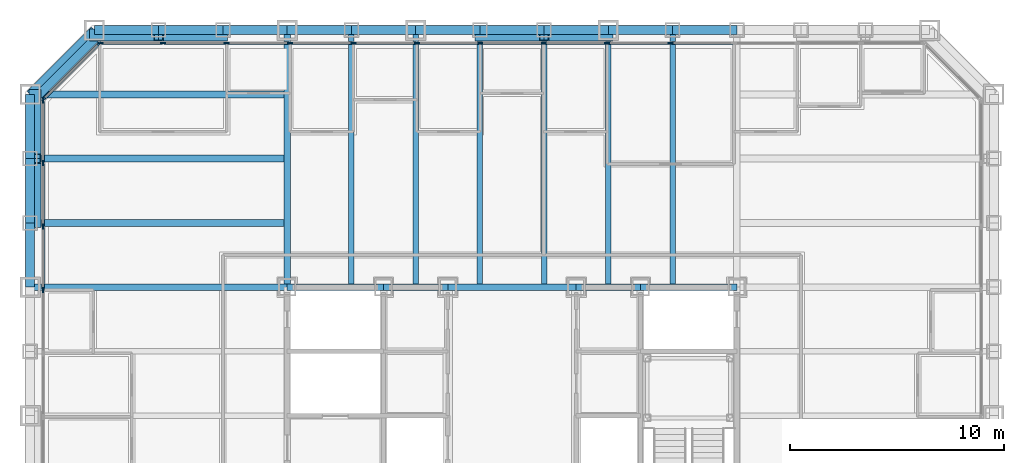
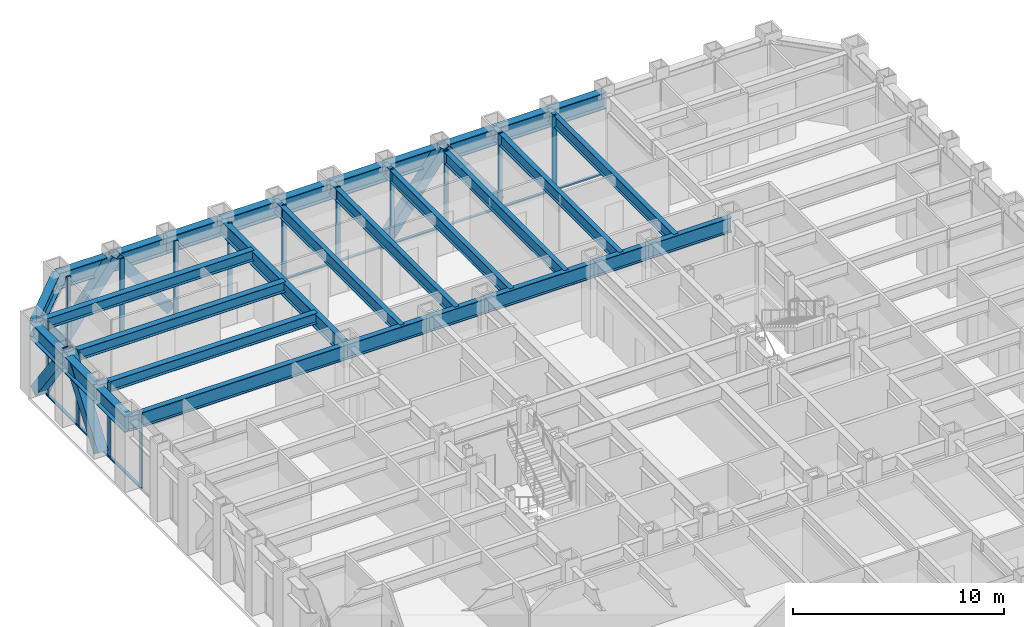
# One storey, part 5 of 16: 37 members, 30 beams, 3 elements without a shape of their own.
"""IFC4 building model written with IfcOpenShell, lengths in metres."""

from ifc_helpers import new_model, si_unit, direction, frame, origin, origin_2d, place, context, subcontext, project, spatial, rectangle, hollow_rectangle, i_section, extrude, material, layer, layer_set, material_profile, profile_set, type_object, element, aggregate, save


model = new_model("IFC4")

# Units and contexts
model_context = context("Model", 3, precision=1e-05, world=origin(), true_north=direction((0.0, 1.0)))
body_context = subcontext(model_context, "Body", "Model", "MODEL_VIEW")
ifc_project = project(units=[si_unit("LENGTHUNIT", "METRE"), si_unit("AREAUNIT", "SQUARE_METRE"), si_unit("VOLUMEUNIT", "CUBIC_METRE"), si_unit("PLANEANGLEUNIT", "RADIAN"), si_unit("MASSUNIT", "GRAM", prefix="KILO")], contexts=[model_context])

# Site, building, storey
site_placement = place(None, origin())
site = spatial("IfcSite", under=ifc_project, at=site_placement, CompositionType="ELEMENT")
building_placement = place(site_placement, origin())
building = spatial("IfcBuilding", under=site, at=building_placement, Name="Chuquiago Exchange Tower", CompositionType="ELEMENT")
storey_placement = place(building_placement, frame((0.0, 0.0, 60.300048828125)))
storey = spatial("IfcBuildingStorey", under=building, at=storey_placement, Name="L12", CompositionType="ELEMENT", Elevation=60.300048828125)

# Beams
ifc_material_1 = material(Name="Steel ASTM A992", Category="steel")
ifc_material_profile_1 = material_profile(ifc_material_1, i_section(OverallWidth=0.2919921875, OverallDepth=0.8583984375, WebThickness=0.01708984375, FlangeThickness=0.031005859375, at=origin_2d()), Name="W33X169")
ifc_profile_set_1 = profile_set([ifc_material_profile_1], Name="Steel ASTM A992")
beam_type_1 = type_object("IfcBeamType", Name="B3 W33X169", PredefinedType="BEAM", material=ifc_profile_set_1)
beam_1_placement = place(storey_placement, frame((12.0, 33.0, 3.610595703125), z_axis=(1.0, 0.0, 0.0), x_axis=(0.0, 1.0, 0.0)))
element("IfcBeam", 1, at=beam_1_placement, inside=storey, type_object=beam_type_1, Name="CB-L13-12_33-16.5_33", PredefinedType="BEAM", context=body_context, shape_type="SweptSolid", body=[
    extrude(i_section(OverallWidth=0.2919921875, OverallDepth=0.8583984375, WebThickness=0.01708984375, FlangeThickness=0.031005859375, at=origin_2d()), origin(), (0.0, 0.0, 1.0), 4.5),
])
beam_2_placement = place(storey_placement, frame((16.5, 33.0, 3.610595703125), z_axis=(1.0, 0.0, 0.0), x_axis=(0.0, 1.0, 0.0)))
element("IfcBeam", 2, at=beam_2_placement, inside=storey, type_object=beam_type_1, Name="CB-L13-16.5_33-19.5_33", PredefinedType="BEAM", context=body_context, shape_type="SweptSolid", body=[
    extrude(i_section(OverallWidth=0.2919921875, OverallDepth=0.8583984375, WebThickness=0.01708984375, FlangeThickness=0.031005859375, at=origin_2d()), origin(), (0.0, 0.0, 1.0), 3.0),
])
beam_3_placement = place(storey_placement, frame((19.5, 33.0, 3.610595703125), z_axis=(1.0, 0.0, 0.0), x_axis=(0.0, 1.0, 0.0)))
element("IfcBeam", 3, at=beam_3_placement, inside=storey, type_object=beam_type_1, Name="CB-L13-19.5_33-25.5_33", PredefinedType="BEAM", context=body_context, shape_type="SweptSolid", body=[
    extrude(i_section(OverallWidth=0.2919921875, OverallDepth=0.8583984375, WebThickness=0.01708984375, FlangeThickness=0.031005859375, at=origin_2d()), origin(), (0.0, 0.0, 1.0), 6.0),
])
beam_4_placement = place(storey_placement, frame((25.5, 33.0, 3.610595703125), z_axis=(1.0, 0.0, 0.0), x_axis=(0.0, 1.0, 0.0)))
element("IfcBeam", 4, at=beam_4_placement, inside=storey, type_object=beam_type_1, Name="CB-L13-25.5_33-28.5_33", PredefinedType="BEAM", context=body_context, shape_type="SweptSolid", body=[
    extrude(i_section(OverallWidth=0.2919921875, OverallDepth=0.8583984375, WebThickness=0.01708984375, FlangeThickness=0.031005859375, at=origin_2d()), origin(), (0.0, 0.0, 1.0), 3.0),
])
beam_5_placement = place(storey_placement, frame((28.5, 33.0, 3.610595703125), z_axis=(1.0, 0.0, 0.0), x_axis=(0.0, 1.0, 0.0)))
element("IfcBeam", 5, at=beam_5_placement, inside=storey, type_object=beam_type_1, Name="CB-L13-28.5_33-33_33", PredefinedType="BEAM", context=body_context, shape_type="SweptSolid", body=[
    extrude(i_section(OverallWidth=0.2919921875, OverallDepth=0.8583984375, WebThickness=0.01708984375, FlangeThickness=0.031005859375, at=origin_2d()), origin(), (0.0, 0.0, 1.0), 4.5),
])
ifc_material_2 = material(Name="Steel ASTM A992", Category="steel")
ifc_material_profile_2 = material_profile(ifc_material_2, i_section(OverallWidth=0.256591796875, OverallDepth=0.693359375, WebThickness=0.014404296875, FlangeThickness=0.023681640625, at=origin_2d()), Name="W27X114")
ifc_profile_set_2 = profile_set([ifc_material_profile_2], Name="Steel ASTM A992")
beam_type_2 = type_object("IfcBeamType", Name="B4 W27X114", PredefinedType="BEAM", material=ifc_profile_set_2)
for number, where, z_axis, x_axis, name in (
    (6, (15.0, 33.0, 3.693359375), (0.0, 1.0, 0.0), (-1.0, 0.0, 0.0), "FB-L13-infill-15_33-15_45-0"),
    (7, (18.0, 33.0, 3.693359375), (0.0, 1.0, 0.0), (-1.0, 0.0, 0.0), "FB-L13-infill-18_33-18_45-0"),
    (8, (21.0, 33.0, 3.693359375), (0.0, 1.0, 0.0), (-1.0, 0.0, 0.0), "FB-L13-infill-21_33-21_45-0"),
    (9, (24.0, 33.0, 3.693359375), (0.0, 1.0, 0.0), (-1.0, 0.0, 0.0), "FB-L13-infill-24_33-24_45-0"),
    (10, (27.0, 33.0, 3.693359375), (0.0, 1.0, 0.0), (-1.0, 0.0, 0.0), "FB-L13-infill-27_33-27_45-0"),
    (11, (30.0, 33.0, 3.693359375), (0.0, 1.0, 0.0), (-1.0, 0.0, 0.0), "FB-L13-infill-30_33-30_45-0"),
):
    element("IfcBeam", number, at=place(storey_placement, frame(where, z_axis=z_axis, x_axis=x_axis)), inside=storey, type_object=beam_type_2, Name=name, PredefinedType="BEAM", context=body_context, shape_type="SweptSolid", body=[
        extrude(i_section(OverallWidth=0.256591796875, OverallDepth=0.693359375, WebThickness=0.014404296875, FlangeThickness=0.023681640625, at=origin_2d()), origin(), (0.0, 0.0, 1.0), 12.0),
    ])
ifc_material_3 = material(Name="Steel ASTM A992", Category="steel")
ifc_material_profile_3 = material_profile(ifc_material_3, i_section(OverallWidth=0.3251953125, OverallDepth=0.6171875, WebThickness=0.013916015625, FlangeThickness=0.021484375, at=origin_2d()), Name="W24X117")
ifc_profile_set_3 = profile_set([ifc_material_profile_3], Name="Steel ASTM A992")
beam_type_3 = type_object("IfcBeamType", Name="B5 W24X117", PredefinedType="BEAM", material=ifc_profile_set_3)
for number, where, z_axis, x_axis, name in (
    (12, (12.0, 36.0, 3.7314453125), (-1.0, 0.0, 0.0), (0.0, -1.0, 0.0), "FB-L13-corner-12_36--0_36-0"),
    (13, (12.0, 39.0, 3.7314453125), (-1.0, 0.0, 0.0), (0.0, -1.0, 0.0), "FB-L13-corner-12_39--0_39-0"),
    (14, (12.0, 42.0, 3.7314453125), (-1.0, 0.0, 0.0), (0.0, -1.0, 0.0), "FB-L13-corner-12_42--0_42-0"),
):
    element("IfcBeam", number, at=place(storey_placement, frame(where, z_axis=z_axis, x_axis=x_axis)), inside=storey, type_object=beam_type_3, Name=name, PredefinedType="BEAM", context=body_context, shape_type="SweptSolid", body=[
        extrude(i_section(OverallWidth=0.3251953125, OverallDepth=0.6171875, WebThickness=0.013916015625, FlangeThickness=0.021484375, at=origin_2d()), origin(), (0.0, 0.0, 1.0), 12.0),
    ])

# Curtain wall, members
ifc_material_4 = material(Name="Aluminium curtain wall system", Category="aluminium")
ifc_layer_1 = layer(ifc_material_4, 0.25)
ifc_layer_set_1 = layer_set([ifc_layer_1], Name="CW1 trading floor curtain wall")
curtain_wall_type_1 = type_object("IfcCurtainWallType", Name="CW1 trading floor curtain wall", PredefinedType="NOTDEFINED", material=ifc_layer_set_1)
curtain_wall_1_placement = place(storey_placement, origin())
curtain_wall_1 = element("IfcCurtainWall", 15, at=curtain_wall_1_placement, inside=storey, type_object=curtain_wall_type_1, Name="CW1 curtain wall L12", PredefinedType="NOTDEFINED")
ifc_material_5 = material(Name="Aluminium mullion, pale anodised", Category="aluminium")
ifc_material_profile_4 = material_profile(ifc_material_5, rectangle(XDim=0.074951171875, YDim=0.25, at=origin_2d()), Name="AL 75x250")
ifc_profile_set_4 = profile_set([ifc_material_profile_4], Name="Aluminium mullion, pale anodised")
member_type_1 = type_object("IfcMemberType", Name="CW1-M mullion 75x250", PredefinedType="MULLION", material=ifc_profile_set_4)
member_1_placement = place(storey_placement, frame((29.904541015625, 44.39990234375, -0.300048828125), z_axis=(0.0, 0.0, 1.0), x_axis=(0.0, -1.0, 0.0)))
member_1 = element("IfcMember", 16, at=member_1_placement, type_object=member_type_1, Name="CW1 mullion 5", PredefinedType="MULLION", context=body_context, shape_type="SweptSolid", body=[
    extrude(rectangle(XDim=0.074951171875, YDim=0.25, at=origin_2d()), origin(), (0.0, 0.0, 1.0), 4.340087890625),
])
member_2_placement = place(storey_placement, frame((26.942626953125, 44.39990234375, -0.300048828125), z_axis=(0.0, 0.0, 1.0), x_axis=(0.0, -1.0, 0.0)))
member_2 = element("IfcMember", 17, at=member_2_placement, type_object=member_type_1, Name="CW1 mullion 6", PredefinedType="MULLION", context=body_context, shape_type="SweptSolid", body=[
    extrude(rectangle(XDim=0.074951171875, YDim=0.25, at=origin_2d()), origin(), (0.0, 0.0, 1.0), 4.340087890625),
])
member_3_placement = place(storey_placement, frame((23.98095703125, 44.39990234375, -0.300048828125), z_axis=(0.0, 0.0, 1.0), x_axis=(0.0, -1.0, 0.0)))
member_3 = element("IfcMember", 18, at=member_3_placement, type_object=member_type_1, Name="CW1 mullion 7", PredefinedType="MULLION", context=body_context, shape_type="SweptSolid", body=[
    extrude(rectangle(XDim=0.074951171875, YDim=0.25, at=origin_2d()), origin(), (0.0, 0.0, 1.0), 4.340087890625),
])
member_4_placement = place(storey_placement, frame((21.01904296875, 44.39990234375, -0.300048828125), z_axis=(0.0, 0.0, 1.0), x_axis=(0.0, -1.0, 0.0)))
member_4 = element("IfcMember", 19, at=member_4_placement, type_object=member_type_1, Name="CW1 mullion 8", PredefinedType="MULLION", context=body_context, shape_type="SweptSolid", body=[
    extrude(rectangle(XDim=0.074951171875, YDim=0.25, at=origin_2d()), origin(), (0.0, 0.0, 1.0), 4.340087890625),
])
member_5_placement = place(storey_placement, frame((18.057373046875, 44.39990234375, -0.300048828125), z_axis=(0.0, 0.0, 1.0), x_axis=(0.0, -1.0, 0.0)))
member_5 = element("IfcMember", 20, at=member_5_placement, type_object=member_type_1, Name="CW1 mullion 9", PredefinedType="MULLION", context=body_context, shape_type="SweptSolid", body=[
    extrude(rectangle(XDim=0.074951171875, YDim=0.25, at=origin_2d()), origin(), (0.0, 0.0, 1.0), 4.340087890625),
])
member_6_placement = place(storey_placement, frame((15.095458984375, 44.39990234375, -0.300048828125), z_axis=(0.0, 0.0, 1.0), x_axis=(0.0, -1.0, 0.0)))
member_6 = element("IfcMember", 21, at=member_6_placement, type_object=member_type_1, Name="CW1 mullion 10", PredefinedType="MULLION", context=body_context, shape_type="SweptSolid", body=[
    extrude(rectangle(XDim=0.074951171875, YDim=0.25, at=origin_2d()), origin(), (0.0, 0.0, 1.0), 4.340087890625),
])
member_7_placement = place(storey_placement, frame((12.1337890625, 44.39990234375, -0.300048828125), z_axis=(0.0, 0.0, 1.0), x_axis=(0.0, -1.0, 0.0)))
member_7 = element("IfcMember", 22, at=member_7_placement, type_object=member_type_1, Name="CW1 mullion 11", PredefinedType="MULLION", context=body_context, shape_type="SweptSolid", body=[
    extrude(rectangle(XDim=0.074951171875, YDim=0.25, at=origin_2d()), origin(), (0.0, 0.0, 1.0), 4.340087890625),
])
member_8_placement = place(storey_placement, frame((9.172119140625, 44.39990234375, -0.300048828125), z_axis=(0.0, 0.0, 1.0), x_axis=(0.0, -1.0, 0.0)))
member_8 = element("IfcMember", 23, at=member_8_placement, type_object=member_type_1, Name="CW1 mullion 12", PredefinedType="MULLION", context=body_context, shape_type="SweptSolid", body=[
    extrude(rectangle(XDim=0.074951171875, YDim=0.25, at=origin_2d()), origin(), (0.0, 0.0, 1.0), 4.340087890625),
])
member_9_placement = place(storey_placement, frame((6.210205078125, 44.39990234375, -0.300048828125), z_axis=(0.0, 0.0, 1.0), x_axis=(0.0, -1.0, 0.0)))
member_9 = element("IfcMember", 24, at=member_9_placement, type_object=member_type_1, Name="CW1 mullion 13", PredefinedType="MULLION", context=body_context, shape_type="SweptSolid", body=[
    extrude(rectangle(XDim=0.074951171875, YDim=0.25, at=origin_2d()), origin(), (0.0, 0.0, 1.0), 4.340087890625),
])
member_10_placement = place(storey_placement, frame((3.285888671875, 44.39990234375, -0.300048828125), z_axis=(0.0, 0.0, 1.0), x_axis=(0.0, -1.0, 0.0)))
member_10 = element("IfcMember", 25, at=member_10_placement, type_object=member_type_1, Name="CW1 mullion 14", PredefinedType="MULLION", context=body_context, shape_type="SweptSolid", body=[
    extrude(rectangle(XDim=0.074951171875, YDim=0.25, at=origin_2d()), origin(), (0.0, 0.0, 1.0), 4.340087890625),
])

curtain_wall_2_placement = place(storey_placement, origin())
curtain_wall_2 = element("IfcCurtainWall", 26, at=curtain_wall_2_placement, inside=storey, type_object=curtain_wall_type_1, Name="CW1 curtain wall L12", PredefinedType="NOTDEFINED")
member_11_placement = place(storey_placement, frame((0.60009765625, 41.714111328125, -0.300048828125), z_axis=(0.0, 0.0, 1.0), x_axis=(1.0, 0.0, 0.0)))
member_11 = element("IfcMember", 27, at=member_11_placement, type_object=member_type_1, Name="CW1 mullion 1", PredefinedType="MULLION", context=body_context, shape_type="SweptSolid", body=[
    extrude(rectangle(XDim=0.074951171875, YDim=0.25, at=origin_2d()), origin(), (0.0, 0.0, 1.0), 4.340087890625),
])
member_12_placement = place(storey_placement, frame((0.60009765625, 38.789794921875, -0.300048828125), z_axis=(0.0, 0.0, 1.0), x_axis=(1.0, 0.0, 0.0)))
member_12 = element("IfcMember", 28, at=member_12_placement, type_object=member_type_1, Name="CW1 mullion 2", PredefinedType="MULLION", context=body_context, shape_type="SweptSolid", body=[
    extrude(rectangle(XDim=0.074951171875, YDim=0.25, at=origin_2d()), origin(), (0.0, 0.0, 1.0), 4.340087890625),
])
member_13_placement = place(storey_placement, frame((0.60009765625, 35.827880859375, -0.300048828125), z_axis=(0.0, 0.0, 1.0), x_axis=(1.0, 0.0, 0.0)))
member_13 = element("IfcMember", 29, at=member_13_placement, type_object=member_type_1, Name="CW1 mullion 3", PredefinedType="MULLION", context=body_context, shape_type="SweptSolid", body=[
    extrude(rectangle(XDim=0.074951171875, YDim=0.25, at=origin_2d()), origin(), (0.0, 0.0, 1.0), 4.340087890625),
])
member_14_placement = place(storey_placement, frame((0.60009765625, 32.8662109375, -0.300048828125), z_axis=(0.0, 0.0, 1.0), x_axis=(1.0, 0.0, 0.0)))
member_14 = element("IfcMember", 30, at=member_14_placement, type_object=member_type_1, Name="CW1 mullion 4", PredefinedType="MULLION", context=body_context, shape_type="SweptSolid", body=[
    extrude(rectangle(XDim=0.074951171875, YDim=0.25, at=origin_2d()), origin(), (0.0, 0.0, 1.0), 4.340087890625),
])

# Member
ifc_material_6 = material(Name="Aluminium transom, pale anodised", Category="aluminium")
ifc_material_profile_5 = material_profile(ifc_material_6, rectangle(XDim=0.14990234375, YDim=0.074951171875, at=origin_2d()), Name="AL 150x75")
ifc_profile_set_5 = profile_set([ifc_material_profile_5], Name="Aluminium transom, pale anodised")
member_type_2 = type_object("IfcMemberType", Name="CW1-T transom 75x150", PredefinedType="MULLION", material=ifc_profile_set_5)
member_15_placement = place(storey_placement, frame((32.82861328125, 44.39990234375, -0.262451171875), z_axis=(-1.0, 0.0, 0.0), x_axis=(0.0, -1.0, 0.0)))
member_15 = element("IfcMember", 31, at=member_15_placement, type_object=member_type_2, Name="CW1 transom 4.1", PredefinedType="MULLION", context=body_context, shape_type="SweptSolid", body=[
    extrude(rectangle(XDim=0.14990234375, YDim=0.074951171875, at=origin_2d()), origin(), (0.0, 0.0, 1.0), 2.88671875),
])

member_16_placement = place(storey_placement, frame((29.866943359375, 44.39990234375, -0.262451171875), z_axis=(-1.0, 0.0, 0.0), x_axis=(0.0, -1.0, 0.0)))
member_16 = element("IfcMember", 32, at=member_16_placement, type_object=member_type_2, Name="CW1 transom 5.1", PredefinedType="MULLION", context=body_context, shape_type="SweptSolid", body=[
    extrude(rectangle(XDim=0.14990234375, YDim=0.074951171875, at=origin_2d()), origin(), (0.0, 0.0, 1.0), 2.88671875),
])

member_17_placement = place(storey_placement, frame((26.9052734375, 44.39990234375, -0.262451171875), z_axis=(-1.0, 0.0, 0.0), x_axis=(0.0, -1.0, 0.0)))
member_17 = element("IfcMember", 33, at=member_17_placement, type_object=member_type_2, Name="CW1 transom 6.1", PredefinedType="MULLION", context=body_context, shape_type="SweptSolid", body=[
    extrude(rectangle(XDim=0.14990234375, YDim=0.074951171875, at=origin_2d()), origin(), (0.0, 0.0, 1.0), 2.886962890625),
])

member_18_placement = place(storey_placement, frame((23.943359375, 44.39990234375, -0.262451171875), z_axis=(-1.0, 0.0, 0.0), x_axis=(0.0, -1.0, 0.0)))
member_18 = element("IfcMember", 34, at=member_18_placement, type_object=member_type_2, Name="CW1 transom 7.1", PredefinedType="MULLION", context=body_context, shape_type="SweptSolid", body=[
    extrude(rectangle(XDim=0.14990234375, YDim=0.074951171875, at=origin_2d()), origin(), (0.0, 0.0, 1.0), 2.88671875),
])

member_19_placement = place(storey_placement, frame((20.981689453125, 44.39990234375, -0.262451171875), z_axis=(-1.0, 0.0, 0.0), x_axis=(0.0, -1.0, 0.0)))
member_19 = element("IfcMember", 35, at=member_19_placement, type_object=member_type_2, Name="CW1 transom 8.1", PredefinedType="MULLION", context=body_context, shape_type="SweptSolid", body=[
    extrude(rectangle(XDim=0.14990234375, YDim=0.074951171875, at=origin_2d()), origin(), (0.0, 0.0, 1.0), 2.886962890625),
])

member_20_placement = place(storey_placement, frame((18.019775390625, 44.39990234375, -0.262451171875), z_axis=(-1.0, 0.0, 0.0), x_axis=(0.0, -1.0, 0.0)))
member_20 = element("IfcMember", 36, at=member_20_placement, type_object=member_type_2, Name="CW1 transom 9.1", PredefinedType="MULLION", context=body_context, shape_type="SweptSolid", body=[
    extrude(rectangle(XDim=0.14990234375, YDim=0.074951171875, at=origin_2d()), origin(), (0.0, 0.0, 1.0), 2.88671875),
])

member_21_placement = place(storey_placement, frame((15.05810546875, 44.39990234375, -0.262451171875), z_axis=(-1.0, 0.0, 0.0), x_axis=(0.0, -1.0, 0.0)))
member_21 = element("IfcMember", 37, at=member_21_placement, type_object=member_type_2, Name="CW1 transom 10.1", PredefinedType="MULLION", context=body_context, shape_type="SweptSolid", body=[
    extrude(rectangle(XDim=0.14990234375, YDim=0.074951171875, at=origin_2d()), origin(), (0.0, 0.0, 1.0), 2.88671875),
])

member_22_placement = place(storey_placement, frame((12.09619140625, 44.39990234375, -0.262451171875), z_axis=(-1.0, 0.0, 0.0), x_axis=(0.0, -1.0, 0.0)))
member_22 = element("IfcMember", 38, at=member_22_placement, type_object=member_type_2, Name="CW1 transom 11.1", PredefinedType="MULLION", context=body_context, shape_type="SweptSolid", body=[
    extrude(rectangle(XDim=0.14990234375, YDim=0.074951171875, at=origin_2d()), origin(), (0.0, 0.0, 1.0), 2.88671875),
])

member_23_placement = place(storey_placement, frame((9.134521484375, 44.39990234375, -0.262451171875), z_axis=(-1.0, 0.0, 0.0), x_axis=(0.0, -1.0, 0.0)))
member_23 = element("IfcMember", 39, at=member_23_placement, type_object=member_type_2, Name="CW1 transom 12.1", PredefinedType="MULLION", context=body_context, shape_type="SweptSolid", body=[
    extrude(rectangle(XDim=0.14990234375, YDim=0.074951171875, at=origin_2d()), origin(), (0.0, 0.0, 1.0), 2.88671875),
])

member_24_placement = place(storey_placement, frame((6.1728515625, 44.39990234375, -0.262451171875), z_axis=(-1.0, 0.0, 0.0), x_axis=(0.0, -1.0, 0.0)))
member_24 = element("IfcMember", 40, at=member_24_placement, type_object=member_type_2, Name="CW1 transom 13.1", PredefinedType="MULLION", context=body_context, shape_type="SweptSolid", body=[
    extrude(rectangle(XDim=0.14990234375, YDim=0.074951171875, at=origin_2d()), origin(), (0.0, 0.0, 1.0), 2.849365234375),
])

aggregate(curtain_wall_1, [member_1, member_2, member_3, member_4, member_5, member_6, member_7, member_8, member_9, member_10, member_15, member_16, member_17, member_18, member_19, member_20, member_21, member_22, member_23, member_24])

member_25_placement = place(storey_placement, frame((0.60009765625, 41.676513671875, -0.262451171875), z_axis=(0.0, -1.0, 0.0), x_axis=(1.0, 0.0, 0.0)))
member_25 = element("IfcMember", 41, at=member_25_placement, type_object=member_type_2, Name="CW1 transom 1.1", PredefinedType="MULLION", context=body_context, shape_type="SweptSolid", body=[
    extrude(rectangle(XDim=0.14990234375, YDim=0.074951171875, at=origin_2d()), origin(), (0.0, 0.0, 1.0), 2.849365234375),
])

member_26_placement = place(storey_placement, frame((0.60009765625, 38.752197265625, -0.262451171875), z_axis=(0.0, -1.0, 0.0), x_axis=(1.0, 0.0, 0.0)))
member_26 = element("IfcMember", 42, at=member_26_placement, type_object=member_type_2, Name="CW1 transom 2.1", PredefinedType="MULLION", context=body_context, shape_type="SweptSolid", body=[
    extrude(rectangle(XDim=0.14990234375, YDim=0.074951171875, at=origin_2d()), origin(), (0.0, 0.0, 1.0), 2.88671875),
])

member_27_placement = place(storey_placement, frame((0.60009765625, 35.79052734375, -0.262451171875), z_axis=(0.0, -1.0, 0.0), x_axis=(1.0, 0.0, 0.0)))
member_27 = element("IfcMember", 43, at=member_27_placement, type_object=member_type_2, Name="CW1 transom 3.1", PredefinedType="MULLION", context=body_context, shape_type="SweptSolid", body=[
    extrude(rectangle(XDim=0.14990234375, YDim=0.074951171875, at=origin_2d()), origin(), (0.0, 0.0, 1.0), 2.88671875),
])

aggregate(curtain_wall_2, [member_11, member_12, member_13, member_14, member_25, member_26, member_27])

# Curtain wall, members
ifc_material_7 = material(Name="Aluminium curtain wall system", Category="aluminium")
ifc_layer_2 = layer(ifc_material_7, 0.199951171875)
ifc_layer_set_2 = layer_set([ifc_layer_2], Name="CW3 facet curtain wall")
curtain_wall_type_2 = type_object("IfcCurtainWallType", Name="CW3 facet curtain wall", PredefinedType="NOTDEFINED", material=ifc_layer_set_2)
curtain_wall_3_placement = place(storey_placement, origin())
curtain_wall_3 = element("IfcCurtainWall", 44, at=curtain_wall_3_placement, inside=storey, type_object=curtain_wall_type_2, Name="CW3 curtain wall L12", PredefinedType="NOTDEFINED")
ifc_material_8 = material(Name="Aluminium mullion, pale anodised", Category="aluminium")
ifc_material_profile_6 = material_profile(ifc_material_8, rectangle(XDim=0.06494140625, YDim=0.199951171875, at=origin_2d()), Name="AL 65x200")
ifc_profile_set_6 = profile_set([ifc_material_profile_6], Name="Aluminium mullion, pale anodised")
member_type_3 = type_object("IfcMemberType", Name="CW3-M mullion 65x200", PredefinedType="MULLION", material=ifc_profile_set_6)
member_28_placement = place(storey_placement, frame((3.2255859375, 44.376953125, -0.300048828125), z_axis=(0.0, 0.0, 1.0), x_axis=(0.707106781187, -0.707106781187, 0.0)))
member_28 = element("IfcMember", 45, at=member_28_placement, type_object=member_type_3, Name="CW3 mullion 1", PredefinedType="MULLION", context=body_context, shape_type="SweptSolid", body=[
    extrude(rectangle(XDim=0.06494140625, YDim=0.199951171875, at=origin_2d()), origin(), (0.0, 0.0, 1.0), 4.340087890625),
])
member_29_placement = place(storey_placement, frame((0.623046875, 41.7744140625, -0.300048828125), z_axis=(0.0, 0.0, 1.0), x_axis=(0.707106781187, -0.707106781187, 0.0)))
member_29 = element("IfcMember", 46, at=member_29_placement, type_object=member_type_3, Name="CW3 mullion 2", PredefinedType="MULLION", context=body_context, shape_type="SweptSolid", body=[
    extrude(rectangle(XDim=0.06494140625, YDim=0.199951171875, at=origin_2d()), origin(), (0.0, 0.0, 1.0), 4.340087890625),
])
ifc_material_9 = material(Name="Aluminium transom, pale anodised", Category="aluminium")
ifc_material_profile_7 = material_profile(ifc_material_9, rectangle(XDim=0.139892578125, YDim=0.06494140625, at=origin_2d()), Name="AL 140x65")
ifc_profile_set_7 = profile_set([ifc_material_profile_7], Name="Aluminium transom, pale anodised")
member_type_4 = type_object("IfcMemberType", Name="CW3-T transom 65x140", PredefinedType="MULLION", material=ifc_profile_set_7)
member_30_placement = place(storey_placement, frame((3.20263671875, 44.35400390625, -0.267578125), z_axis=(-0.707106781187, -0.707106781187, 0.0), x_axis=(0.707106781187, -0.707106781187, 0.0)))
member_30 = element("IfcMember", 47, at=member_30_placement, type_object=member_type_4, Name="CW3 transom 1.1", PredefinedType="MULLION", context=body_context, shape_type="SweptSolid", body=[
    extrude(rectangle(XDim=0.139892578125, YDim=0.06494140625, at=origin_2d()), origin(), (0.0, 0.0, 1.0), 3.61572265625),
])
aggregate(curtain_wall_3, [member_28, member_29, member_30])

# Beams
ifc_material_10 = material(Name="Steel ASTM A992", Category="steel")
ifc_material_profile_8 = material_profile(ifc_material_10, i_section(OverallWidth=0.2919921875, OverallDepth=0.8583984375, WebThickness=0.01708984375, FlangeThickness=0.031005859375, at=origin_2d()), Name="W33X169")
ifc_profile_set_8 = profile_set([ifc_material_profile_8], Name="Steel ASTM A992")
beam_type_4 = type_object("IfcBeamType", Name="G2 W33X169", PredefinedType="BEAM", material=ifc_profile_set_8)
for number, where, z_axis, x_axis, name in (
    (48, (12.0, 33.0, 3.610595703125), (0.0, 1.0, 0.0), (-1.0, 0.0, 0.0), "FB-L13-girder-12_33-12_45-0"),
    (49, (12.0, 33.0, 3.610595703125), (-1.0, 0.0, 0.0), (0.0, -1.0, 0.0), "FB-L13-girder-12_33--0_33-0"),
):
    element("IfcBeam", number, at=place(storey_placement, frame(where, z_axis=z_axis, x_axis=x_axis)), inside=storey, type_object=beam_type_4, Name=name, PredefinedType="BEAM", context=body_context, shape_type="SweptSolid", body=[
        extrude(i_section(OverallWidth=0.2919921875, OverallDepth=0.8583984375, WebThickness=0.01708984375, FlangeThickness=0.031005859375, at=origin_2d()), origin(), (0.0, 0.0, 1.0), 12.0),
    ])

# Members
ifc_material_11 = material(Name="Steel ASTM A500 Grade C", Category="steel")
ifc_material_profile_9 = material_profile(ifc_material_11, hollow_rectangle(XDim=0.406494140625, YDim=0.406494140625, WallThickness=0.0146484375, at=origin_2d()), Name="HSS16X16X5/8")
ifc_profile_set_9 = profile_set([ifc_material_profile_9], Name="Steel ASTM A500 Grade C")
member_type_5 = type_object("IfcMemberType", Name="LB4 HSS16X16X5/8", PredefinedType="BRACE", material=ifc_profile_set_9)
member_31_placement = place(storey_placement, frame((3.21337890625, 44.78662109375, 0.0), z_axis=(-0.512077265487, -0.512077265487, 0.689604051861), x_axis=(0.707106781187, -0.707106781187, 0.0)))
element("IfcMember", 50, at=member_31_placement, inside=storey, type_object=member_type_5, Name="LB-L12-3_45-0_42", PredefinedType="BRACE", context=body_context, shape_type="SweptSolid", body=[
    extrude(hollow_rectangle(XDim=0.406494140625, YDim=0.406494140625, WallThickness=0.0146484375, at=origin_2d()), origin(), (0.0, 0.0, 1.0), 5.8583984375),
])
ifc_material_12 = material(Name="Steel ASTM A572 Grade 50", Category="steel")
ifc_material_profile_10 = material_profile(ifc_material_12, hollow_rectangle(XDim=0.550048828125, YDim=0.550048828125, WallThickness=0.044921875, at=origin_2d()), Name="BOX550X550X45")
ifc_profile_set_10 = profile_set([ifc_material_profile_10], Name="Steel ASTM A572 Grade 50")
member_type_6 = type_object("IfcMemberType", Name="MB1 BOX550X550X45", PredefinedType="BRACE", material=ifc_profile_set_10)
for number, where, z_axis, x_axis, name in (
    (51, (27.0, 44.77001953125, 0.0), (-0.596173923302, 0.0, 0.802855312728), (0.0, -1.0, 0.0), "Mega diagonal L12 N face"),
    (52, (21.0, 44.77001953125, 0.0), (0.596173923302, 0.0, 0.802855312728), (0.0, 1.0, 0.0), "Mega diagonal L12 N face"),
    (53, (9.0, 44.77001953125, 0.0), (-0.596173923302, 0.0, 0.802855312728), (0.0, -1.0, 0.0), "Mega diagonal L12 N face"),
    (54, (3.0, 44.77001953125, 0.0), (0.596173923302, 0.0, 0.802855312728), (0.0, 1.0, 0.0), "Mega diagonal L12 N face"),
    (55, (0.22998046875, 42.0, 0.0), (0.0, -0.596173923302, 0.802855312728), (1.0, 0.0, 0.0), "Mega diagonal L12 W face"),
    (56, (0.22998046875, 36.0, 0.0), (0.0, 0.596173923302, 0.802855312728), (-1.0, 0.0, 0.0), "Mega diagonal L12 W face"),
):
    element("IfcMember", number, at=place(storey_placement, frame(where, z_axis=z_axis, x_axis=x_axis)), inside=storey, type_object=member_type_6, Name=name, PredefinedType="BRACE", context=body_context, shape_type="SweptSolid", body=[
        extrude(hollow_rectangle(XDim=0.550048828125, YDim=0.550048828125, WallThickness=0.044921875, at=origin_2d()), origin(), (0.0, 0.0, 1.0), 5.031982421875),
    ])

# Beams
ifc_material_13 = material(Name="Steel ASTM A992", Category="steel")
ifc_material_profile_11 = material_profile(ifc_material_13, i_section(OverallWidth=0.424072265625, OverallDepth=0.947509765625, WebThickness=0.02392578125, FlangeThickness=0.042724609375, at=origin_2d()), Name="W36X302")
ifc_profile_set_11 = profile_set([ifc_material_profile_11], Name="Steel ASTM A992")
beam_type_5 = type_object("IfcBeamType", Name="SP1 W36X302", PredefinedType="SPANDREL", material=ifc_profile_set_11)
for number, where, z_axis, x_axis, name in (
    (57, (33.0, 45.0, 3.566162109375), (-1.0, 0.0, 0.0), (0.0, -1.0, 0.0), "SPB-L13-33_45-30_45"),
    (58, (30.0, 45.0, 3.566162109375), (-1.0, 0.0, 0.0), (0.0, -1.0, 0.0), "SPB-L13-30_45-27_45"),
    (59, (27.0, 45.0, 3.566162109375), (-1.0, 0.0, 0.0), (0.0, -1.0, 0.0), "SPB-L13-27_45-24_45"),
    (60, (24.0, 45.0, 3.566162109375), (-1.0, 0.0, 0.0), (0.0, -1.0, 0.0), "SPB-L13-24_45-21_45"),
    (61, (21.0, 45.0, 3.566162109375), (-1.0, 0.0, 0.0), (0.0, -1.0, 0.0), "SPB-L13-21_45-18_45"),
    (62, (18.0, 45.0, 3.566162109375), (-1.0, 0.0, 0.0), (0.0, -1.0, 0.0), "SPB-L13-18_45-15_45"),
    (63, (15.0, 45.0, 3.566162109375), (-1.0, 0.0, 0.0), (0.0, -1.0, 0.0), "SPB-L13-15_45-12_45"),
    (64, (12.0, 45.0, 3.566162109375), (-1.0, 0.0, 0.0), (0.0, -1.0, 0.0), "SPB-L13-12_45-9_45"),
    (65, (9.0, 45.0, 3.566162109375), (-1.0, 0.0, 0.0), (0.0, -1.0, 0.0), "SPB-L13-9_45-6_45"),
    (66, (6.0, 45.0, 3.566162109375), (-1.0, 0.0, 0.0), (0.0, -1.0, 0.0), "SPB-L13-6_45-3_45"),
):
    element("IfcBeam", number, at=place(storey_placement, frame(where, z_axis=z_axis, x_axis=x_axis)), inside=storey, type_object=beam_type_5, Name=name, PredefinedType="SPANDREL", context=body_context, shape_type="SweptSolid", body=[
        extrude(i_section(OverallWidth=0.424072265625, OverallDepth=0.947509765625, WebThickness=0.02392578125, FlangeThickness=0.042724609375, at=origin_2d()), origin(), (0.0, 0.0, 1.0), 3.0),
    ])
beam_6_placement = place(storey_placement, frame((3.0, 45.0, 3.566162109375), z_axis=(-0.707106781187, -0.707106781187, 0.0), x_axis=(0.707106781187, -0.707106781187, 0.0)))
element("IfcBeam", 67, at=beam_6_placement, inside=storey, type_object=beam_type_5, Name="SPB-L13-3_45-0_42", PredefinedType="SPANDREL", context=body_context, shape_type="SweptSolid", body=[
    extrude(i_section(OverallWidth=0.424072265625, OverallDepth=0.947509765625, WebThickness=0.02392578125, FlangeThickness=0.042724609375, at=origin_2d()), origin(), (0.0, 0.0, 1.0), 4.24267578125),
])
for number, where, z_axis, x_axis, name in (
    (68, (0.0, 42.0, 3.566162109375), (0.0, -1.0, 0.0), (1.0, 0.0, 0.0), "SPB-L13-0_42-0_39"),
    (69, (0.0, 39.0, 3.566162109375), (0.0, -1.0, 0.0), (1.0, 0.0, 0.0), "SPB-L13-0_39-0_36"),
    (70, (0.0, 36.0, 3.566162109375), (0.0, -1.0, 0.0), (1.0, 0.0, 0.0), "SPB-L13-0_36-0_33"),
):
    element("IfcBeam", number, at=place(storey_placement, frame(where, z_axis=z_axis, x_axis=x_axis)), inside=storey, type_object=beam_type_5, Name=name, PredefinedType="SPANDREL", context=body_context, shape_type="SweptSolid", body=[
        extrude(i_section(OverallWidth=0.424072265625, OverallDepth=0.947509765625, WebThickness=0.02392578125, FlangeThickness=0.042724609375, at=origin_2d()), origin(), (0.0, 0.0, 1.0), 3.0),
    ])

save(model, "model.ifc")
